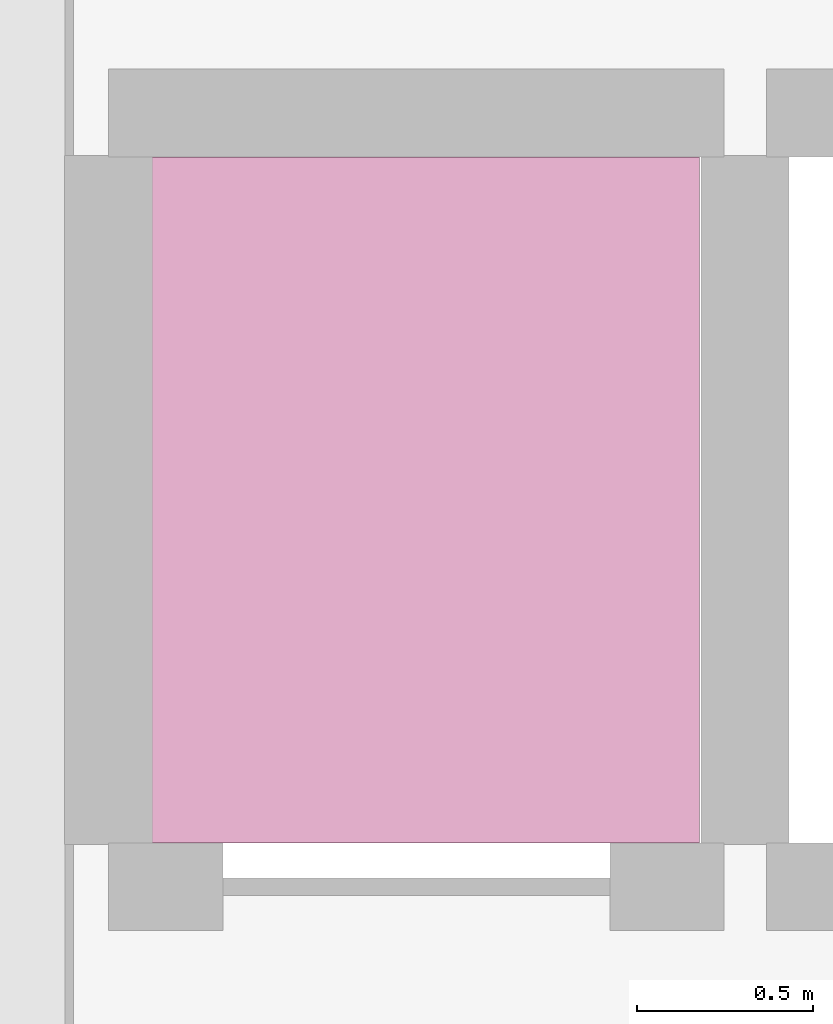
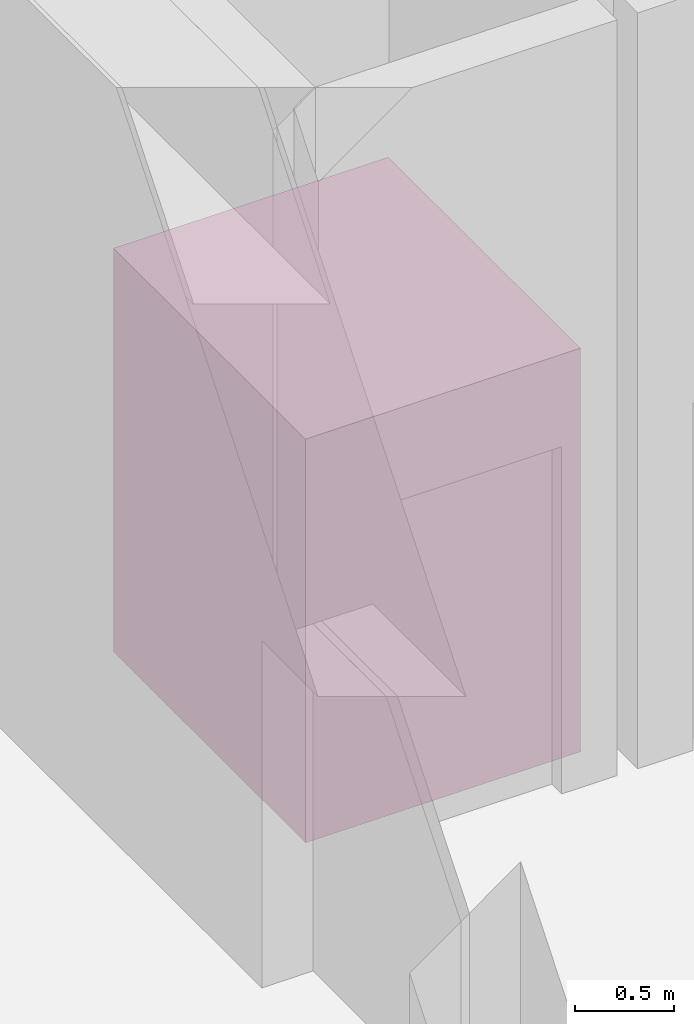
# One storey, part 23 of 23: 1 transport element.
"""IFC4 building model written with IfcOpenShell, lengths in metres."""

from ifc_helpers import new_model, si_unit, direction, frame, origin, origin_2d, place, context, subcontext, project, spatial, rectangle, extrude, material, type_object, element, save


model = new_model("IFC4")

# Units and contexts
model_context = context("Model", 3, precision=1e-05, world=origin(), true_north=direction((0.0, 1.0)))
body_context = subcontext(model_context, "Body", "Model", "MODEL_VIEW")
ifc_project = project(units=[si_unit("LENGTHUNIT", "METRE"), si_unit("AREAUNIT", "SQUARE_METRE"), si_unit("VOLUMEUNIT", "CUBIC_METRE"), si_unit("PLANEANGLEUNIT", "RADIAN"), si_unit("MASSUNIT", "GRAM", prefix="KILO")], contexts=[model_context])

# Site, building, storey
site_placement = place(None, origin())
site = spatial("IfcSite", under=ifc_project, at=site_placement, CompositionType="ELEMENT")
building_placement = place(site_placement, origin())
building = spatial("IfcBuilding", under=site, at=building_placement, Name="Zulverin Broadcast Headquarters", CompositionType="ELEMENT")
storey_placement = place(building_placement, frame((0.0, 0.0, 10.0)))
storey = spatial("IfcBuildingStorey", under=building, at=storey_placement, Name="L02", CompositionType="ELEMENT", Elevation=10.0)

# Transport element
ifc_material = material(Name="Stainless steel & laminated glass elevator car", Category="steel")
transport_element_type = type_object("IfcTransportElementType", Name="LFT-PASS-1600", PredefinedType="ELEVATOR", material=ifc_material)
transport_element_placement = place(storey_placement, frame((27.02490234375, 27.89990234375, 0.02001953125), z_axis=(0.0, 0.0, 1.0), x_axis=(1.0, 0.0, 0.0)))
element("IfcTransportElement", 1, at=transport_element_placement, inside=storey, type_object=transport_element_type, Name="Elevator Car PL-L1 (1600 kg, B2-L29)", PredefinedType="ELEVATOR", context=body_context, shape_type="SweptSolid", body=[
    extrude(rectangle(XDim=1.610107421875, YDim=1.949951171875, at=origin_2d()), origin(), (0.0, 0.0, 1.0), 2.5),
])

save(model, "model.ifc")
